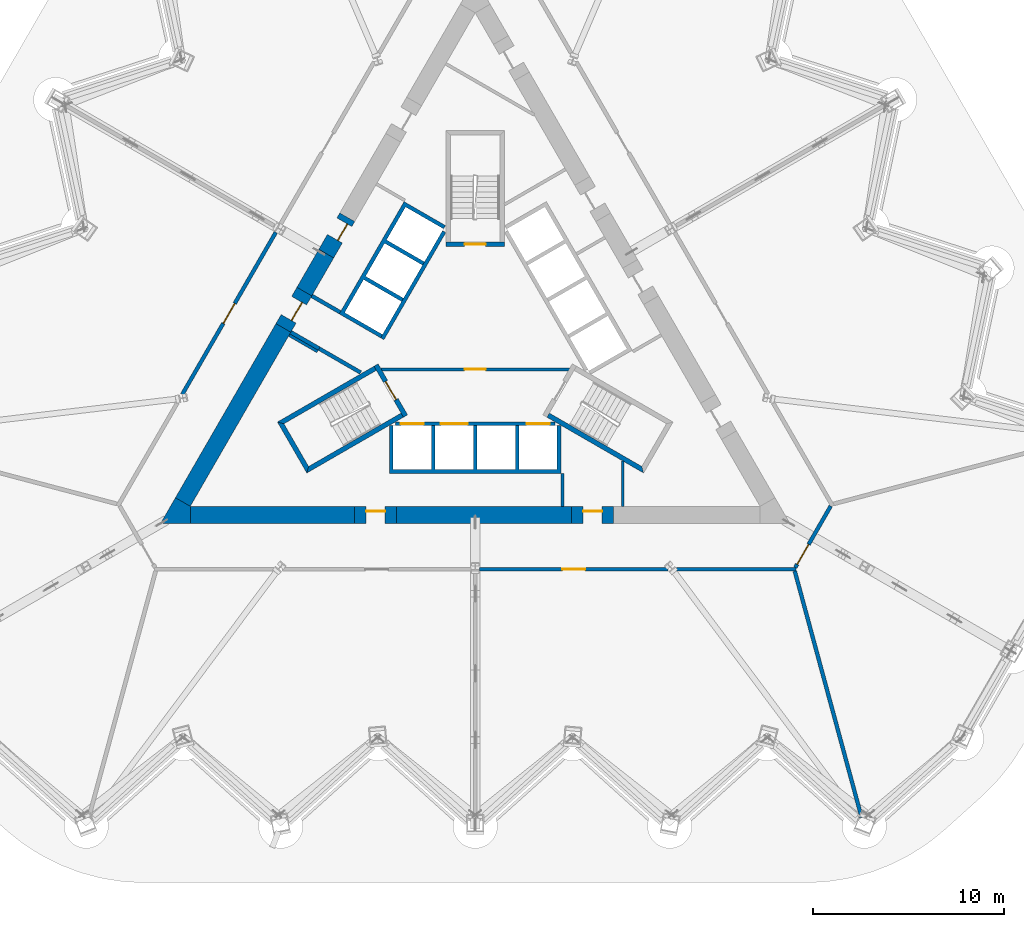
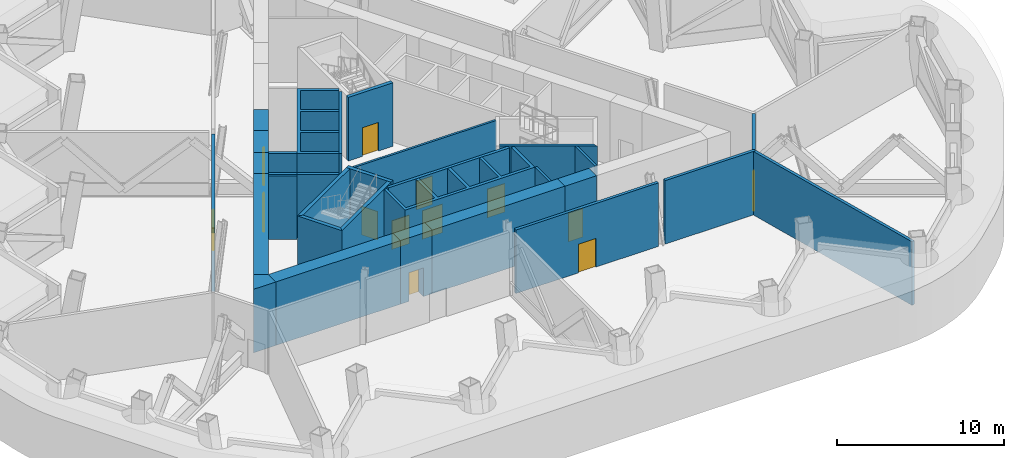
# One storey, part 5 of 13: 31 walls, 13 doors, 13 openings.
"""IFC4 building model written with IfcOpenShell, lengths in metres."""

import ifcopenshell
import ifcopenshell.guid

model = None  # the IFC model being written
_history = None  # IfcOwnerHistory: only IFC2X3 demands one
_inside = {}  # id of a spatial element -> (the spatial element, [elements in it])
_under = {}  # id of a project, library or spatial element -> (it, [spatial elements below it])
_declared = {}  # id of a project -> (the project, [libraries it declares])
_typed = {}  # id of a type object -> (the type object, [elements of that type])
_made_of = {}  # id of a material, layer set ... -> (it, [elements and type objects made of it])


def new_model(schema):
    """Start an empty IFC model of exactly this schema.

    Asked for "IFC4X3", IfcOpenShell would pick the latest addendum, in which some entities
    have other attributes; the version numbers below select the first issue.
    IFC2X3 requires an IfcOwnerHistory on every rooted entity: one is made here for all.
    """
    global model, _history
    if schema == "IFC4X3":
        model = ifcopenshell.file(schema_version=(4, 3, 0, 0))
    else:
        model = ifcopenshell.file(schema=schema)
    _inside.clear()
    _under.clear()
    _declared.clear()
    _typed.clear()
    _made_of.clear()
    _history = None
    if model.schema == "IFC2X3":
        org = make("IfcOrganization", Name="unknown")
        user = make(
            "IfcPersonAndOrganization",
            ThePerson=make("IfcPerson", FamilyName="unknown"),
            TheOrganization=org,
        )
        app = make(
            "IfcApplication",
            ApplicationDeveloper=org,
            Version="unknown",
            ApplicationFullName="unknown",
            ApplicationIdentifier="unknown",
        )
        _history = make(
            "IfcOwnerHistory",
            OwningUser=user,
            OwningApplication=app,
            ChangeAction="ADDED",
            CreationDate=0,
        )
    return model


def make(cls, **values):
    """One entity of the class cls with the attributes given. An attribute that is None is left unset."""
    return model.create_entity(
        cls, **{name: value for name, value in values.items() if value is not None}
    )


def rooted(cls, **values):
    """An entity with a GlobalId (a new one), such as an element, a storey or a relation."""
    return make(cls, GlobalId=ifcopenshell.guid.new(), OwnerHistory=_history, **values)


def si_unit(unit_type, name, prefix=None):
    """IfcSIUnit, for example si_unit("LENGTHUNIT", "METRE", prefix="MILLI")."""
    return make("IfcSIUnit", UnitType=unit_type, Prefix=prefix, Name=name)


def assignment(units):
    """IfcUnitAssignment: the units of a project."""
    return None if units is None else make("IfcUnitAssignment", Units=units)


def point(xyz):
    """IfcCartesianPoint."""
    return None if xyz is None else make("IfcCartesianPoint", Coordinates=xyz)


def direction(xyz):
    """IfcDirection."""
    return None if xyz is None else make("IfcDirection", DirectionRatios=xyz)


def frame(location, z_axis=None, x_axis=None):
    """IfcAxis2Placement3D, a coordinate frame: its origin and axes. An axis left out is left unset."""
    return make(
        "IfcAxis2Placement3D",
        Location=point(location),
        Axis=direction(z_axis),
        RefDirection=direction(x_axis),
    )


def frame_2d(location, x_axis=None):
    """IfcAxis2Placement2D, a coordinate frame in the plane: its origin and x axis."""
    return make(
        "IfcAxis2Placement2D", Location=point(location), RefDirection=direction(x_axis)
    )


def origin():
    """The frame at (0, 0, 0) with its axes left unset."""
    return frame((0.0, 0.0, 0.0))


def place(relative_to, where):
    """IfcLocalPlacement: puts the frame where relative to a parent placement (None: the world)."""
    return make(
        "IfcLocalPlacement", PlacementRelTo=relative_to, RelativePlacement=where
    )


def context(
    kind, dimensions, precision=None, world=None, true_north=None, identifier=None
):
    """IfcGeometricRepresentationContext, for example the 3D "Model" context."""
    return make(
        "IfcGeometricRepresentationContext",
        ContextIdentifier=identifier,
        ContextType=kind,
        CoordinateSpaceDimension=dimensions,
        Precision=precision,
        WorldCoordinateSystem=world,
        TrueNorth=true_north,
    )


def subcontext(parent, identifier, kind, view, scale=None):
    """IfcGeometricRepresentationSubContext, for example "Body" below "Model"."""
    return make(
        "IfcGeometricRepresentationSubContext",
        ContextIdentifier=identifier,
        ContextType=kind,
        ParentContext=parent,
        TargetScale=scale,
        TargetView=view,
    )


def project(units=None, contexts=None):
    """IfcProject with its units and contexts."""
    return rooted(
        "IfcProject",
        Name="project",
        RepresentationContexts=contexts,
        UnitsInContext=assignment(units),
    )


def spatial(cls, under=None, at=None, **own):
    """A site, building, storey or space (cls), placed at a placement, below another one or the project."""
    s = rooted(cls, ObjectPlacement=at, **own)
    if under is not None:
        _under.setdefault(under.id(), (under, []))[1].append(s)
    return s


def polyline(points):
    """IfcPolyline through the points."""
    return make("IfcPolyline", Points=[point(p) for p in points])


def profile(cls, at=None, kind="AREA", **sizes):
    """A parametric profile (cls). Its sizes go by their IFC names, for example OverallWidth=200.0."""
    return make(cls, ProfileType=kind, Position=at, **sizes)


def rectangle(**sizes):
    """IfcRectangleProfileDef."""
    return profile("IfcRectangleProfileDef", **sizes)


def outline(outer, holes=None, kind="AREA"):
    """IfcArbitraryClosedProfileDef: a profile drawn as a closed curve; with holes, ...WithVoids."""
    if holes is None:
        return make("IfcArbitraryClosedProfileDef", ProfileType=kind, OuterCurve=outer)
    return make(
        "IfcArbitraryProfileDefWithVoids",
        ProfileType=kind,
        OuterCurve=outer,
        InnerCurves=holes,
    )


def extrude(swept, where, along, depth):
    """IfcExtrudedAreaSolid: the profile swept, set in the frame where, extruded along a direction by depth."""
    return make(
        "IfcExtrudedAreaSolid",
        SweptArea=swept,
        Position=where,
        ExtrudedDirection=direction(along),
        Depth=depth,
    )


def shape(context_of_items, identifier, shape_type, items):
    """IfcShapeRepresentation: the items that make up one representation, for example the "Body"."""
    return make(
        "IfcShapeRepresentation",
        ContextOfItems=context_of_items,
        RepresentationIdentifier=identifier,
        RepresentationType=shape_type,
        Items=items,
    )


def material(Name=None, Category=None):
    """IfcMaterial."""
    return make("IfcMaterial", Name=Name, Category=Category)


def layer(
    of_material, thickness, ventilated=None, Name=None, Category=None, Priority=None
):
    """IfcMaterialLayer: one layer of a wall or slab, of a material (None: an air gap)."""
    return make(
        "IfcMaterialLayer",
        Material=of_material,
        LayerThickness=thickness,
        IsVentilated=ventilated,
        Name=Name,
        Category=Category,
        Priority=Priority,
    )


def layer_set(layers, Name=None):
    """IfcMaterialLayerSet."""
    return make("IfcMaterialLayerSet", MaterialLayers=layers, LayerSetName=Name)


def made_of(thing, what):
    """Note that an element or type object is made of a material, layer set ...; save() writes the relation."""
    if what is not None:
        _made_of.setdefault(what.id(), (what, []))[1].append(thing)
    return thing


def type_object(cls, material=None, **own):
    """A type object (cls), such as IfcWallType, which elements share."""
    return made_of(rooted(cls, **own), material)


def element(
    cls,
    number,
    at=None,
    inside=None,
    cuts=None,
    type_object=None,
    material=None,
    context=None,
    identifier="Body",
    shape_type=None,
    held_by="IfcProductDefinitionShape",
    body=None,
    shapes=None,
    **own,
):
    """One element of the class cls, such as IfcWall. Its Tag is "e" and its number.

    at: its placement. inside: the storey or other place that contains it. cuts: it is an
    opening in that element (IfcRelVoidsElement). A single representation is given by context,
    identifier, shape_type and body (its items); several are given by shapes. held_by: the class
    of the entity that holds the representations. save() writes the other relations.
    """
    e = rooted(cls, Tag="e%d" % number, ObjectPlacement=at, **own)
    if body is not None:
        shapes = [shape(context, identifier, shape_type, body)]
    if shapes is not None:
        e.Representation = make(held_by, Representations=shapes)
    if inside is not None:
        _inside.setdefault(inside.id(), (inside, []))[1].append(e)
    if cuts is not None:
        rooted(
            "IfcRelVoidsElement", RelatingBuildingElement=cuts, RelatedOpeningElement=e
        )
    if type_object is not None:
        _typed.setdefault(type_object.id(), (type_object, []))[1].append(e)
    return made_of(e, material)


def fill(opening, filler):
    """IfcRelFillsElement: the door or window that sits in an opening."""
    return rooted(
        "IfcRelFillsElement",
        RelatingOpeningElement=opening,
        RelatedBuildingElement=filler,
    )


def aggregate(whole, parts):
    """IfcRelAggregates: a whole, such as a stair, and the parts it consists of."""
    return rooted("IfcRelAggregates", RelatingObject=whole, RelatedObjects=parts)


def save(model, path):
    """Write the relations noted so far, then the file.

    IfcRelAggregates (storeys below a building ...), IfcRelContainedInSpatialStructure (elements
    in a storey), IfcRelDefinesByType, IfcRelAssociatesMaterial and IfcRelDeclares: one each for
    every whole, place, type object, material and project.
    """
    for whole, parts in _under.values():
        aggregate(whole, parts)
    for where, things in _inside.values():
        rooted(
            "IfcRelContainedInSpatialStructure",
            RelatedElements=things,
            RelatingStructure=where,
        )
    for kind, things in _typed.values():
        rooted("IfcRelDefinesByType", RelatedObjects=things, RelatingType=kind)
    for what, things in _made_of.values():
        rooted("IfcRelAssociatesMaterial", RelatedObjects=things, RelatingMaterial=what)
    for by, libraries in _declared.values():
        rooted("IfcRelDeclares", RelatingContext=by, RelatedDefinitions=libraries)
    model.write(path)


model = new_model("IFC4")

# Units and contexts
model_context = context("Model", 3, precision=1e-05, world=origin(), true_north=direction((0.0, 1.0)))
body_context = subcontext(model_context, "Body", "Model", "MODEL_VIEW")
ifc_project = project(units=[si_unit("LENGTHUNIT", "METRE"), si_unit("AREAUNIT", "SQUARE_METRE"), si_unit("VOLUMEUNIT", "CUBIC_METRE"), si_unit("PLANEANGLEUNIT", "RADIAN"), si_unit("MASSUNIT", "GRAM", prefix="KILO")], contexts=[model_context])

# Site, building, storey
site_placement = place(None, origin())
site = spatial("IfcSite", under=ifc_project, at=site_placement, CompositionType="ELEMENT")
building_placement = place(site_placement, origin())
building = spatial("IfcBuilding", under=site, at=building_placement, Name="Cormorant Prow Tower", CompositionType="ELEMENT")
storey_placement = place(building_placement, frame((0.0, 0.0, 164.199951171875)))
storey = spatial("IfcBuildingStorey", under=building, at=storey_placement, Name="L34", CompositionType="ELEMENT", Elevation=164.199951171875)

# Wall, opening, door
ifc_material_1 = material(Name="Gypsum board partition")
ifc_layer_1 = layer(ifc_material_1, 0.14990234375)
ifc_layer_set_1 = layer_set([ifc_layer_1], Name="Gypsum board partition")
wall_type_1 = type_object("IfcWallType", Name="Core partition 150", PredefinedType="PARTITIONING", material=ifc_layer_set_1)
wall_1_placement = place(storey_placement, frame((-4.941162109375, -1.449951171875, 0.0), z_axis=(0.0, 0.0, 1.0), x_axis=(1.0, 0.0, 0.0)))
wall_1 = element("IfcWall", 1, at=wall_1_placement, inside=storey, type_object=wall_type_1, Name="Firefighting lobby partition", PredefinedType="PARTITIONING", context=body_context, shape_type="SweptSolid", body=[
    extrude(rectangle(XDim=9.88232421875, YDim=0.14990234375, at=frame_2d((4.941162109375, 0.0))), origin(), (0.0, 0.0, 1.0), 4.650146484375),
])
opening_1_placement = place(wall_1_placement, frame((4.39111328125, 0.0, 0.0)))
opening_1 = element("IfcOpeningElement", 2, at=opening_1_placement, cuts=wall_1, Name="Opening L34-C04", PredefinedType="OPENING", context=body_context, shape_type="SweptSolid", body=[
    extrude(rectangle(XDim=1.10009765625, YDim=2.10009765625, at=frame_2d((0.550048828125, 1.050048828125))), frame((0.0, 0.0849609375, 0.0), z_axis=(0.0, -1.0, 0.0), x_axis=(1.0, 0.0, 0.0)), (0.0, 0.0, 1.0), 0.169921875),
])
ifc_material_2 = material(Name="Painted steel", Category="steel")
door_type_1 = type_object("IfcDoorType", Name="Firefighting lobby door 1100x2100", OperationType="NOTDEFINED", PredefinedType="DOOR", material=ifc_material_2)
door_1_placement = place(opening_1_placement, origin())
door_1 = element("IfcDoor", 3, at=door_1_placement, inside=storey, type_object=door_type_1, Name="Firefighting lobby door", OperationType="SINGLE_SWING_LEFT", OverallHeight=2.10009765625, OverallWidth=1.10009765625, PredefinedType="DOOR", context=body_context, shape_type="SweptSolid", body=[
    extrude(rectangle(XDim=1.10009765625, YDim=2.10009765625, at=frame_2d((0.550048828125, 1.050048828125))), frame((0.0, 0.02490234375, 0.0), z_axis=(0.0, -1.0, 0.0), x_axis=(1.0, 0.0, 0.0)), (0.0, 0.0, 1.0), 0.050048828125),
])
fill(opening_1, door_1)

# Walls
for number, where, z_axis, x_axis, name in (
    (4, (-8.268310546875, -0.509033203125, 0.0), (0.0, 0.0, 1.0), (-0.866024871741, 0.500000921525, 0.0), "Service room partition"),
    (5, (4.574951171875, -6.906005859375, 0.0), (0.0, 0.0, 1.0), (0.0, -1.0, 0.0), "Service room partition"),
):
    element("IfcWall", number, at=place(storey_placement, frame(where, z_axis=z_axis, x_axis=x_axis)), inside=storey, type_object=wall_type_1, Name=name, PredefinedType="PARTITIONING", context=body_context, shape_type="SweptSolid", body=[
        extrude(rectangle(XDim=1.72021484375, YDim=0.14990234375, at=frame_2d((0.860107421875, 0.0))), origin(), (0.0, 0.0, 1.0), 4.650146484375),
    ])
wall_2_placement = place(storey_placement, frame((7.7373046875, -8.626220703125, 0.0), z_axis=(0.0, 0.0, 1.0), x_axis=(0.0, 1.0, 0.0)))
element("IfcWall", 6, at=wall_2_placement, inside=storey, type_object=wall_type_1, Name="Service room partition", PredefinedType="PARTITIONING", context=body_context, shape_type="SweptSolid", body=[
    extrude(rectangle(XDim=2.38623046875, YDim=0.14990234375, at=frame_2d((1.193115234375, 0.0))), origin(), (0.0, 0.0, 1.0), 4.650146484375),
])
ifc_material_3 = material(Name="Concrete 8000 psi", Category="concrete")
ifc_layer_2 = layer(ifc_material_3, 0.89990234375)
ifc_layer_set_2 = layer_set([ifc_layer_2], Name="Concrete 8000 psi")
wall_type_2 = type_object("IfcWallType", Name="Core shear wall 900", PredefinedType="SHEAR", material=ifc_layer_set_2)
wall_3_placement = place(storey_placement, frame((-4.12060546875, -9.076416015625, 0.0), z_axis=(0.0, 0.0, 1.0), x_axis=(1.0, 0.0, 0.0)))
element("IfcWall", 7, at=wall_3_placement, inside=storey, type_object=wall_type_2, Name="Core wall", PredefinedType="SHEAR", context=body_context, shape_type="SweptSolid", body=[
    extrude(rectangle(XDim=9.1767578125, YDim=0.89990234375, at=frame_2d((4.58837890625, 0.0))), origin(), (0.0, 0.0, 1.0), 4.650146484375),
])
wall_4_placement = place(storey_placement, frame((-14.941162109375, -9.076416015625, 0.0), z_axis=(0.0, 0.0, 1.0), x_axis=(1.0, 0.0, 0.0)))
element("IfcWall", 8, at=wall_4_placement, inside=storey, type_object=wall_type_2, Name="Core wall", PredefinedType="SHEAR", context=body_context, shape_type="SweptSolid", body=[
    extrude(rectangle(XDim=8.62060546875, YDim=0.89990234375, at=frame_2d((4.310302734375, 0.0))), origin(), (0.0, 0.0, 1.0), 4.650146484375),
])
wall_5_placement = place(storey_placement, frame((-10.060302734375, 0.7275390625, 0.0), z_axis=(0.0, 0.0, 1.0), x_axis=(-0.499995114243, -0.866028224559, 0.0)))
element("IfcWall", 9, at=wall_5_placement, inside=storey, type_object=wall_type_2, Name="Core wall", PredefinedType="SHEAR", context=body_context, shape_type="SweptSolid", body=[
    extrude(rectangle(XDim=10.541015625, YDim=0.89990234375, at=frame_2d((5.2705078125, 0.0))), origin(), (0.0, 0.0, 1.0), 4.650146484375),
])
wall_6_placement = place(storey_placement, frame((-7.810302734375, 4.624755859375, 0.0), z_axis=(0.0, 0.0, 1.0), x_axis=(-0.499952165731, -0.866053019151, 0.0)))
element("IfcWall", 10, at=wall_6_placement, inside=storey, type_object=wall_type_2, Name="Core wall", PredefinedType="SHEAR", context=body_context, shape_type="SweptSolid", body=[
    extrude(rectangle(XDim=2.300048828125, YDim=0.89990234375, at=frame_2d((1.14990234375, 0.0))), origin(), (0.0, 0.0, 1.0), 4.650146484375),
])
wall_7_placement = place(storey_placement, origin())
element("IfcWall", 11, at=wall_7_placement, inside=storey, type_object=wall_type_2, Name="Core wall corner", PredefinedType="SHEAR", context=body_context, shape_type="SweptSolid", body=[
    extrude(outline(polyline([(-14.941162109375, -8.626220703125), (-14.941162109375, -9.5263671875), (-16.5, -9.5263671875), (-15.720703125, -8.17626953125), (-14.941162109375, -8.626220703125)])), origin(), (0.0, 0.0, 1.0), 4.650146484375),
])

# Wall, opening, door
wall_8_placement = place(storey_placement, frame((5.05615234375, -9.076416015625, 0.0), z_axis=(0.0, 0.0, 1.0), x_axis=(1.0, 0.0, 0.0)))
wall_8 = element("IfcWall", 12, at=wall_8_placement, inside=storey, type_object=wall_type_2, Name="Core wall door panel", PredefinedType="SHEAR", context=body_context, shape_type="SweptSolid", body=[
    extrude(rectangle(XDim=2.199951171875, YDim=0.89990234375, at=frame_2d((1.10009765625, 0.0))), origin(), (0.0, 0.0, 1.0), 4.650146484375),
])
opening_2_placement = place(wall_8_placement, frame((0.60009765625, 0.0, 0.0)))
opening_2 = element("IfcOpeningElement", 13, at=opening_2_placement, cuts=wall_8, Name="Opening L34-C08", PredefinedType="OPENING", context=body_context, shape_type="SweptSolid", body=[
    extrude(rectangle(XDim=1.0, YDim=2.10009765625, at=frame_2d((0.5, 1.050048828125))), frame((0.0, 0.4599609375, 0.0), z_axis=(0.0, -1.0, 0.0), x_axis=(1.0, 0.0, 0.0)), (0.0, 0.0, 1.0), 0.919921875),
])
ifc_material_4 = material(Name="Painted steel", Category="steel")
door_type_2 = type_object("IfcDoorType", Name="Service door 1000x2100", OperationType="NOTDEFINED", PredefinedType="DOOR", material=ifc_material_4)
door_2_placement = place(opening_2_placement, origin())
door_2 = element("IfcDoor", 14, at=door_2_placement, inside=storey, type_object=door_type_2, Name="Core door, Telecom plant room", OperationType="SINGLE_SWING_RIGHT", OverallHeight=2.10009765625, OverallWidth=1.0, PredefinedType="DOOR", context=body_context, shape_type="SweptSolid", body=[
    extrude(rectangle(XDim=1.0, YDim=2.10009765625, at=frame_2d((0.5, 1.050048828125))), frame((0.0, 0.205078125, 0.0), z_axis=(0.0, -1.0, 0.0), x_axis=(1.0, 0.0, 0.0)), (0.0, 0.0, 1.0), 0.050048828125),
])
fill(opening_2, door_2)

wall_9_placement = place(storey_placement, frame((-6.320556640625, -9.076416015625, 0.0), z_axis=(0.0, 0.0, 1.0), x_axis=(1.0, 0.0, 0.0)))
wall_9 = element("IfcWall", 15, at=wall_9_placement, inside=storey, type_object=wall_type_2, Name="Core wall door panel", PredefinedType="SHEAR", context=body_context, shape_type="SweptSolid", body=[
    extrude(rectangle(XDim=2.199951171875, YDim=0.89990234375, at=frame_2d((1.10009765625, 0.0))), origin(), (0.0, 0.0, 1.0), 4.650146484375),
])
opening_3_placement = place(wall_9_placement, frame((0.60009765625, 0.0, 0.0)))
opening_3 = element("IfcOpeningElement", 16, at=opening_3_placement, cuts=wall_9, Name="Opening L34-C09", PredefinedType="OPENING", context=body_context, shape_type="SweptSolid", body=[
    extrude(rectangle(XDim=1.0, YDim=2.10009765625, at=frame_2d((0.5, 1.050048828125))), frame((0.0, 0.4599609375, 0.0), z_axis=(0.0, -1.0, 0.0), x_axis=(1.0, 0.0, 0.0)), (0.0, 0.0, 1.0), 0.919921875),
])
door_3_placement = place(opening_3_placement, origin())
door_3 = element("IfcDoor", 17, at=door_3_placement, inside=storey, type_object=door_type_2, Name="Core door, Plant staff store", OperationType="SINGLE_SWING_RIGHT", OverallHeight=2.10009765625, OverallWidth=1.0, PredefinedType="DOOR", context=body_context, shape_type="SweptSolid", body=[
    extrude(rectangle(XDim=1.0, YDim=2.10009765625, at=frame_2d((0.5, 1.050048828125))), frame((0.0, 0.205078125, 0.0), z_axis=(0.0, -1.0, 0.0), x_axis=(1.0, 0.0, 0.0)), (0.0, 0.0, 1.0), 0.050048828125),
])
fill(opening_3, door_3)

wall_10_placement = place(storey_placement, frame((-6.710205078125, 6.530029296875, 0.0), z_axis=(0.0, 0.0, 1.0), x_axis=(-0.50002983664, -0.866008176907, 0.0)))
wall_10 = element("IfcWall", 18, at=wall_10_placement, inside=storey, type_object=wall_type_2, Name="Core wall door panel", PredefinedType="SHEAR", context=body_context, shape_type="SweptSolid", body=[
    extrude(rectangle(XDim=2.199951171875, YDim=0.89990234375, at=frame_2d((1.10009765625, 0.0))), origin(), (0.0, 0.0, 1.0), 4.650146484375),
])
opening_4_placement = place(wall_10_placement, frame((0.300048828125, 0.0, 0.0)))
opening_4 = element("IfcOpeningElement", 19, at=opening_4_placement, cuts=wall_10, Name="Opening L34-C12", PredefinedType="OPENING", context=body_context, shape_type="SweptSolid", body=[
    extrude(rectangle(XDim=1.0, YDim=2.10009765625, at=frame_2d((0.5, 1.050048828125))), frame((0.0, 0.4599609375, 0.0), z_axis=(0.0, -1.0, 0.0), x_axis=(1.0, 0.0, 0.0)), (0.0, 0.0, 1.0), 0.919921875),
])
door_4_placement = place(opening_4_placement, origin())
door_4 = element("IfcDoor", 20, at=door_4_placement, inside=storey, type_object=door_type_2, Name="Core door, Telecom plant room", OperationType="SINGLE_SWING_RIGHT", OverallHeight=2.10009765625, OverallWidth=1.0, PredefinedType="DOOR", context=body_context, shape_type="SweptSolid", body=[
    extrude(rectangle(XDim=1.0, YDim=2.10009765625, at=frame_2d((0.5, 1.050048828125))), frame((0.0, 0.205078125, 0.0), z_axis=(0.0, -1.0, 0.0), x_axis=(1.0, 0.0, 0.0)), (0.0, 0.0, 1.0), 0.050048828125),
])
fill(opening_4, door_4)

wall_11_placement = place(storey_placement, frame((-8.960205078125, 2.6328125, 0.0), z_axis=(0.0, 0.0, 1.0), x_axis=(-0.50002983664, -0.866008176907, 0.0)))
wall_11 = element("IfcWall", 21, at=wall_11_placement, inside=storey, type_object=wall_type_2, Name="Core wall door panel", PredefinedType="SHEAR", context=body_context, shape_type="SweptSolid", body=[
    extrude(rectangle(XDim=2.199951171875, YDim=0.89990234375, at=frame_2d((1.10009765625, 0.0))), origin(), (0.0, 0.0, 1.0), 4.650146484375),
])
opening_5_placement = place(wall_11_placement, frame((0.550048828125, 0.0, 0.0)))
opening_5 = element("IfcOpeningElement", 22, at=opening_5_placement, cuts=wall_11, Name="Opening L34-C16", PredefinedType="OPENING", context=body_context, shape_type="SweptSolid", body=[
    extrude(rectangle(XDim=1.10009765625, YDim=2.10009765625, at=frame_2d((0.550048828125, 1.050048828125))), frame((0.0, 0.4599609375, 0.0), z_axis=(0.0, -1.0, 0.0), x_axis=(1.0, 0.0, 0.0)), (0.0, 0.0, 1.0), 0.919921875),
])
ifc_material_5 = material(Name="Painted steel", Category="steel")
door_type_3 = type_object("IfcDoorType", Name="Core door 1100x2100", OperationType="NOTDEFINED", PredefinedType="DOOR", material=ifc_material_5)
door_5_placement = place(opening_5_placement, origin())
door_5 = element("IfcDoor", 23, at=door_5_placement, inside=storey, type_object=door_type_3, Name="Core door, lift lobby", OperationType="SINGLE_SWING_LEFT", OverallHeight=2.10009765625, OverallWidth=1.10009765625, PredefinedType="DOOR", context=body_context, shape_type="SweptSolid", body=[
    extrude(rectangle(XDim=1.10009765625, YDim=2.10009765625, at=frame_2d((0.550048828125, 1.050048828125))), frame((0.0, 0.205078125, 0.0), z_axis=(0.0, -1.0, 0.0), x_axis=(1.0, 0.0, 0.0)), (0.0, 0.0, 1.0), 0.050048828125),
])
fill(opening_5, door_5)

ifc_material_6 = material(Name="Gypsum board corridor wall")
ifc_layer_3 = layer(ifc_material_6, 0.199951171875)
ifc_layer_set_3 = layer_set([ifc_layer_3], Name="Gypsum board corridor wall")
wall_type_3 = type_object("IfcWallType", Name="Corridor wall 200", PredefinedType="PARTITIONING", material=ifc_layer_set_3)
wall_12_placement = place(storey_placement, frame((0.227294921875, -11.92626953125, 0.0), z_axis=(0.0, 0.0, 1.0), x_axis=(1.0, 0.0, 0.0)))
wall_12 = element("IfcWall", 24, at=wall_12_placement, inside=storey, type_object=wall_type_3, Name="Corridor wall", PredefinedType="PARTITIONING", context=body_context, shape_type="SweptSolid", body=[
    extrude(rectangle(XDim=9.873779296875, YDim=0.199951171875, at=frame_2d((4.93701171875, 0.0))), origin(), (0.0, 0.0, 1.0), 4.650146484375),
])
opening_6_placement = place(wall_12_placement, frame((4.3369140625, 0.0, 0.0)))
opening_6 = element("IfcOpeningElement", 25, at=opening_6_placement, cuts=wall_12, Name="Opening L34-F02", PredefinedType="OPENING", context=body_context, shape_type="SweptSolid", body=[
    extrude(rectangle(XDim=1.199951171875, YDim=2.10009765625, at=frame_2d((0.60009765625, 1.050048828125))), frame((0.0, 0.10986328125, 0.0), z_axis=(0.0, -1.0, 0.0), x_axis=(1.0, 0.0, 0.0)), (0.0, 0.0, 1.0), 0.219970703125),
])
ifc_material_7 = material(Name="Timber door leaf", Category="wood")
door_type_4 = type_object("IfcDoorType", Name="Plant room door 1200x2100", OperationType="NOTDEFINED", PredefinedType="DOOR", material=ifc_material_7)
door_6_placement = place(opening_6_placement, origin())
door_6 = element("IfcDoor", 26, at=door_6_placement, inside=storey, type_object=door_type_4, Name="Sprinkler pump room door", OperationType="SINGLE_SWING_RIGHT", OverallHeight=2.10009765625, OverallWidth=1.199951171875, PredefinedType="DOOR", context=body_context, shape_type="SweptSolid", body=[
    extrude(rectangle(XDim=1.199951171875, YDim=2.10009765625, at=frame_2d((0.60009765625, 1.050048828125))), frame((0.0, 0.02490234375, 0.0), z_axis=(0.0, -1.0, 0.0), x_axis=(1.0, 0.0, 0.0)), (0.0, 0.0, 1.0), 0.050048828125),
])
fill(opening_6, door_6)

wall_13_placement = place(storey_placement, frame((-15.361328125, -2.754150390625, 0.0), z_axis=(0.0, 0.0, 1.0), x_axis=(0.500004141693, 0.866023012564, 0.0)))
wall_13 = element("IfcWall", 27, at=wall_13_placement, inside=storey, type_object=wall_type_3, Name="Corridor wall", PredefinedType="PARTITIONING", context=body_context, shape_type="SweptSolid", body=[
    extrude(rectangle(XDim=9.80322265625, YDim=0.199951171875, at=frame_2d((4.901611328125, 0.0))), origin(), (0.0, 0.0, 1.0), 4.650146484375),
])
opening_7_placement = place(wall_13_placement, frame((4.3017578125, 0.0, 0.0)))
opening_7 = element("IfcOpeningElement", 28, at=opening_7_placement, cuts=wall_13, Name="Opening L34-F05", PredefinedType="OPENING", context=body_context, shape_type="SweptSolid", body=[
    extrude(rectangle(XDim=1.199951171875, YDim=2.10009765625, at=frame_2d((0.60009765625, 1.050048828125))), frame((0.0, 0.10986328125, 0.0), z_axis=(0.0, -1.0, 0.0), x_axis=(1.0, 0.0, 0.0)), (0.0, 0.0, 1.0), 0.219970703125),
])
door_7_placement = place(opening_7_placement, origin())
door_7 = element("IfcDoor", 29, at=door_7_placement, inside=storey, type_object=door_type_4, Name="Pump and tank room door", OperationType="SINGLE_SWING_LEFT", OverallHeight=2.10009765625, OverallWidth=1.199951171875, PredefinedType="DOOR", context=body_context, shape_type="SweptSolid", body=[
    extrude(rectangle(XDim=1.199951171875, YDim=2.10009765625, at=frame_2d((0.60009765625, 1.050048828125))), frame((0.0, 0.02490234375, 0.0), z_axis=(0.0, -1.0, 0.0), x_axis=(1.0, 0.0, 0.0)), (0.0, 0.0, 1.0), 0.050048828125),
])
fill(opening_7, door_7)

# Wall
wall_14_placement = place(storey_placement, frame((10.555908203125, -11.92626953125, 0.0), z_axis=(0.0, 0.0, 1.0), x_axis=(1.0, 0.0, 0.0)))
element("IfcWall", 30, at=wall_14_placement, inside=storey, type_object=wall_type_3, Name="Corridor wall", PredefinedType="PARTITIONING", context=body_context, shape_type="SweptSolid", body=[
    extrude(rectangle(XDim=6.27490234375, YDim=0.199951171875, at=frame_2d((3.137451171875, 0.0))), origin(), (0.0, 0.0, 1.0), 4.650146484375),
])

# Wall, opening, door
wall_15_placement = place(storey_placement, frame((16.781005859375, -11.839599609375, 0.0), z_axis=(0.0, 0.0, 1.0), x_axis=(0.499958791762, 0.866049194065, 0.0)))
wall_15 = element("IfcWall", 31, at=wall_15_placement, inside=storey, type_object=wall_type_3, Name="Corridor wall", PredefinedType="PARTITIONING", context=body_context, shape_type="SweptSolid", body=[
    extrude(rectangle(XDim=3.725830078125, YDim=0.199951171875, at=frame_2d((1.86279296875, 0.0))), origin(), (0.0, 0.0, 1.0), 4.650146484375),
])
opening_8_placement = place(wall_15_placement, frame((0.201171875, 0.0, 0.0)))
opening_8 = element("IfcOpeningElement", 32, at=opening_8_placement, cuts=wall_15, Name="Opening L34-F04", PredefinedType="OPENING", context=body_context, shape_type="SweptSolid", body=[
    extrude(rectangle(XDim=1.199951171875, YDim=2.10009765625, at=frame_2d((0.60009765625, 1.050048828125))), frame((0.0, 0.10986328125, 0.0), z_axis=(0.0, -1.0, 0.0), x_axis=(1.0, 0.0, 0.0)), (0.0, 0.0, 1.0), 0.219970703125),
])
door_8_placement = place(opening_8_placement, origin())
door_8 = element("IfcDoor", 33, at=door_8_placement, inside=storey, type_object=door_type_4, Name="Chiller plant room door", OperationType="SINGLE_SWING_LEFT", OverallHeight=2.10009765625, OverallWidth=1.199951171875, PredefinedType="DOOR", context=body_context, shape_type="SweptSolid", body=[
    extrude(rectangle(XDim=1.199951171875, YDim=2.10009765625, at=frame_2d((0.60009765625, 1.050048828125))), frame((0.0, 0.02490234375, 0.0), z_axis=(0.0, -1.0, 0.0), x_axis=(1.0, 0.0, 0.0)), (0.0, 0.0, 1.0), 0.050048828125),
])
fill(opening_8, door_8)

# Wall
ifc_material_8 = material(Name="Gypsum board demising wall")
ifc_layer_4 = layer(ifc_material_8, 0.199951171875)
ifc_layer_set_4 = layer_set([ifc_layer_4], Name="Gypsum board demising wall")
wall_type_4 = type_object("IfcWallType", Name="Demising wall 200", PredefinedType="PARTITIONING", material=ifc_layer_set_4)
wall_16_placement = place(storey_placement, frame((16.757080078125, -12.022705078125, 0.0), z_axis=(0.0, 0.0, 1.0), x_axis=(0.261845290604, -0.965109860994, 0.0)))
element("IfcWall", 34, at=wall_16_placement, inside=storey, type_object=wall_type_4, Name="Demising wall", PredefinedType="PARTITIONING", context=body_context, shape_type="SweptSolid", body=[
    extrude(rectangle(XDim=13.383544921875, YDim=0.199951171875, at=frame_2d((6.69189453125, 0.0))), origin(), (0.0, 0.0, 1.0), 4.650146484375),
])

# Wall, openings, doors
ifc_material_9 = material(Name="Concrete 5000 psi", Category="concrete")
ifc_layer_5 = layer(ifc_material_9, 0.199951171875)
ifc_layer_set_5 = layer_set([ifc_layer_5], Name="Concrete 5000 psi")
wall_type_5 = type_object("IfcWallType", Name="Lift lobby wall 200", PredefinedType="SOLIDWALL", material=ifc_layer_set_5)
wall_17_placement = place(storey_placement, frame((-4.1865234375, -4.300048828125, 0.0), z_axis=(0.0, 0.0, 1.0), x_axis=(1.0, 0.0, 0.0)))
wall_17 = element("IfcWall", 35, at=wall_17_placement, inside=storey, type_object=wall_type_5, Name="Lift lobby wall, S block", PredefinedType="SOLIDWALL", context=body_context, shape_type="SweptSolid", body=[
    extrude(rectangle(XDim=8.373046875, YDim=0.199951171875, at=frame_2d((4.1865234375, 0.0))), origin(), (0.0, 0.0, 1.0), 4.650146484375),
])
opening_9_placement = place(wall_17_placement, frame((0.28662109375, 0.0, 0.0)))
opening_9 = element("IfcOpeningElement", 36, at=opening_9_placement, cuts=wall_17, Name="Opening L34-C01", PredefinedType="OPENING", context=body_context, shape_type="SweptSolid", body=[
    extrude(rectangle(XDim=1.199951171875, YDim=2.10009765625, at=frame_2d((0.60009765625, 1.050048828125))), frame((0.0, 0.10986328125, 0.0), z_axis=(0.0, -1.0, 0.0), x_axis=(1.0, 0.0, 0.0)), (0.0, 0.0, 1.0), 0.219970703125),
])
opening_10_placement = place(wall_17_placement, frame((2.38671875, 0.0, 0.0)))
opening_10 = element("IfcOpeningElement", 37, at=opening_10_placement, cuts=wall_17, Name="Opening L34-C02", PredefinedType="OPENING", context=body_context, shape_type="SweptSolid", body=[
    extrude(rectangle(XDim=1.39990234375, YDim=2.10009765625, at=frame_2d((0.699951171875, 1.050048828125))), frame((0.0, 0.10986328125, 0.0), z_axis=(0.0, -1.0, 0.0), x_axis=(1.0, 0.0, 0.0)), (0.0, 0.0, 1.0), 0.219970703125),
])
opening_11_placement = place(wall_17_placement, frame((6.88671875, 0.0, 0.0)))
opening_11 = element("IfcOpeningElement", 38, at=opening_11_placement, cuts=wall_17, Name="Opening L34-C03", PredefinedType="OPENING", context=body_context, shape_type="SweptSolid", body=[
    extrude(rectangle(XDim=1.199951171875, YDim=2.10009765625, at=frame_2d((0.60009765625, 1.050048828125))), frame((0.0, 0.10986328125, 0.0), z_axis=(0.0, -1.0, 0.0), x_axis=(1.0, 0.0, 0.0)), (0.0, 0.0, 1.0), 0.219970703125),
])
ifc_material_10 = material(Name="Painted steel", Category="steel")
door_type_5 = type_object("IfcDoorType", Name="Firefighting lift landing door 1200x2100", OperationType="SLIDING_TO_LEFT", PredefinedType="DOOR", material=ifc_material_10)
door_9_placement = place(opening_9_placement, origin())
door_9 = element("IfcDoor", 39, at=door_9_placement, inside=storey, type_object=door_type_5, Name="Landing door FL1", OperationType="SLIDING_TO_LEFT", OverallHeight=2.10009765625, OverallWidth=1.199951171875, PredefinedType="DOOR", context=body_context, shape_type="SweptSolid", body=[
    extrude(rectangle(XDim=1.199951171875, YDim=2.10009765625, at=frame_2d((0.60009765625, 1.050048828125))), frame((0.0, 0.02490234375, 0.0), z_axis=(0.0, -1.0, 0.0), x_axis=(1.0, 0.0, 0.0)), (0.0, 0.0, 1.0), 0.050048828125),
])
fill(opening_9, door_9)
door_10_placement = place(opening_11_placement, origin())
door_10 = element("IfcDoor", 40, at=door_10_placement, inside=storey, type_object=door_type_5, Name="Landing door FL2", OperationType="SLIDING_TO_LEFT", OverallHeight=2.10009765625, OverallWidth=1.199951171875, PredefinedType="DOOR", context=body_context, shape_type="SweptSolid", body=[
    extrude(rectangle(XDim=1.199951171875, YDim=2.10009765625, at=frame_2d((0.60009765625, 1.050048828125))), frame((0.0, 0.02490234375, 0.0), z_axis=(0.0, -1.0, 0.0), x_axis=(1.0, 0.0, 0.0)), (0.0, 0.0, 1.0), 0.050048828125),
])
fill(opening_11, door_10)
ifc_material_11 = material(Name="Painted steel", Category="steel")
door_type_6 = type_object("IfcDoorType", Name="Service lift landing door 1400x2100", OperationType="SLIDING_TO_LEFT", PredefinedType="DOOR", material=ifc_material_11)
door_11_placement = place(opening_10_placement, origin())
door_11 = element("IfcDoor", 41, at=door_11_placement, inside=storey, type_object=door_type_6, Name="Landing door SL1", OperationType="SLIDING_TO_LEFT", OverallHeight=2.10009765625, OverallWidth=1.39990234375, PredefinedType="DOOR", context=body_context, shape_type="SweptSolid", body=[
    extrude(rectangle(XDim=1.39990234375, YDim=2.10009765625, at=frame_2d((0.699951171875, 1.050048828125))), frame((0.0, 0.02490234375, 0.0), z_axis=(0.0, -1.0, 0.0), x_axis=(1.0, 0.0, 0.0)), (0.0, 0.0, 1.0), 0.050048828125),
])
fill(opening_10, door_11)

# Walls
wall_18_placement = place(storey_placement, frame((-1.630615234375, 5.775634765625, 0.0), z_axis=(0.0, 0.0, 1.0), x_axis=(-0.499992876559, -0.866029516466, 0.0)))
element("IfcWall", 42, at=wall_18_placement, inside=storey, type_object=wall_type_5, Name="Lift lobby wall, WNW block", PredefinedType="SOLIDWALL", context=body_context, shape_type="SweptSolid", body=[
    extrude(rectangle(XDim=6.486328125, YDim=0.199951171875, at=frame_2d((3.2431640625, 0.0))), origin(), (0.0, 0.0, 1.0), 4.650146484375),
])
ifc_material_12 = material(Name="Concrete 8000 psi", Category="concrete")
ifc_layer_6 = layer(ifc_material_12, 0.199951171875)
ifc_layer_set_6 = layer_set([ifc_layer_6], Name="Concrete 8000 psi")
wall_type_6 = type_object("IfcWallType", Name="Lift shaft wall 200", PredefinedType="SHEAR", material=ifc_layer_set_6)
wall_19_placement = place(storey_placement, origin())
element("IfcWall", 43, at=wall_19_placement, inside=storey, type_object=wall_type_6, Name="Lift shaft walls, S block", PredefinedType="SHEAR", context=body_context, shape_type="SweptSolid", body=[
    extrude(outline(polyline([(4.5, -4.39990234375), (4.5, -6.906005859375), (-4.5, -6.906005859375), (-4.5, -4.39990234375), (-4.300048828125, -4.39990234375), (-4.300048828125, -6.699951171875), (-2.300048828125, -6.699951171875), (-2.300048828125, -4.39990234375), (-2.10009765625, -4.39990234375), (-2.10009765625, -6.699951171875), (-0.10009765625, -6.699951171875), (-0.10009765625, -4.39990234375), (0.10009765625, -4.39990234375), (0.10009765625, -6.699951171875), (2.10009765625, -6.699951171875), (2.10009765625, -4.39990234375), (2.300048828125, -4.39990234375), (2.300048828125, -6.699951171875), (4.300048828125, -6.699951171875), (4.300048828125, -4.39990234375), (4.5, -4.39990234375)])), origin(), (0.0, 0.0, 1.0), 4.650146484375),
])
wall_20_placement = place(storey_placement, origin())
element("IfcWall", 44, at=wall_20_placement, inside=storey, type_object=wall_type_6, Name="Lift shaft walls, WNW block", PredefinedType="SHEAR", context=body_context, shape_type="SweptSolid", body=[
    extrude(outline(polyline([(-6.060546875, -1.697021484375), (-8.230712890625, -0.444091796875), (-8.130859375, -0.27099609375), (-5.96044921875, -1.52392578125), (-6.060546875, -1.697021484375)])), origin(), (0.0, 0.0, 1.0), 4.650146484375),
])
wall_21_placement = place(storey_placement, origin())
element("IfcWall", 45, at=wall_21_placement, inside=storey, type_object=wall_type_6, Name="Lift shaft walls, WNW block", PredefinedType="SHEAR", context=body_context, shape_type="SweptSolid", body=[
    extrude(outline(polyline([(-4.96044921875, 0.2080078125), (-7.130859375, 1.461181640625), (-3.730712890625, 7.35009765625), (-1.560546875, 6.09716796875), (-1.660400390625, 5.923828125), (-3.65234375, 7.073974609375), (-4.65234375, 5.341796875), (-2.660400390625, 4.19189453125), (-2.760498046875, 4.018798828125), (-4.75244140625, 5.168701171875), (-5.75244140625, 3.4365234375), (-3.760498046875, 2.28662109375), (-3.860595703125, 2.11328125), (-5.852294921875, 3.263427734375), (-6.852294921875, 1.53125), (-4.860595703125, 0.38134765625), (-4.96044921875, 0.2080078125)])), origin(), (0.0, 0.0, 1.0), 4.650146484375),
])
for number, where, z_axis, x_axis, name in (
    (46, (-7.080810546875, 1.547607421875, 0.0), (0.0, 0.0, 1.0), (-0.865963414263, 0.500107353632, 0.0), "Lobby passage wall"),
    (47, (-8.180908203125, -0.357421875, 0.0), (0.0, 0.0, 1.0), (-0.866024871741, 0.500000921525, 0.0), "Lobby passage wall"),
):
    element("IfcWall", number, at=place(storey_placement, frame(where, z_axis=z_axis, x_axis=x_axis)), inside=storey, type_object=wall_type_6, Name=name, PredefinedType="SHEAR", context=body_context, shape_type="SweptSolid", body=[
        extrude(rectangle(XDim=1.72021484375, YDim=0.199951171875, at=frame_2d((0.860107421875, 0.0))), origin(), (0.0, 0.0, 1.0), 4.650146484375),
    ])
ifc_material_13 = material(Name="Concrete 8000 psi", Category="concrete")
ifc_layer_7 = layer(ifc_material_13, 0.25)
ifc_layer_set_7 = layer_set([ifc_layer_7], Name="Concrete 8000 psi")
wall_type_7 = type_object("IfcWallType", Name="Stair wall 250", PredefinedType="SHEAR", material=ifc_layer_set_7)
wall_22_placement = place(storey_placement, origin())
element("IfcWall", 48, at=wall_22_placement, inside=storey, type_object=wall_type_7, Name="Stair ST1 enclosure wall (flank)", PredefinedType="SHEAR", context=body_context, shape_type="SweptSolid", body=[
    extrude(outline(polyline([(-5.30712890625, -1.28125), (-10.37353515625, -4.206298828125), (-10.031982421875, -4.2978515625), (-5.18212890625, -1.497802734375), (-5.30712890625, -1.28125)])), origin(), (0.0, 0.0, 1.0), 4.650146484375),
])
wall_23_placement = place(storey_placement, origin())
element("IfcWall", 49, at=wall_23_placement, inside=storey, type_object=wall_type_7, Name="Stair ST1 enclosure wall (end)", PredefinedType="SHEAR", context=body_context, shape_type="SweptSolid", body=[
    extrude(outline(polyline([(-10.37353515625, -4.206298828125), (-8.82958984375, -6.880615234375), (-8.738037109375, -6.5390625), (-10.031982421875, -4.2978515625), (-10.37353515625, -4.206298828125)])), origin(), (0.0, 0.0, 1.0), 4.650146484375),
])
wall_24_placement = place(storey_placement, origin())
element("IfcWall", 50, at=wall_24_placement, inside=storey, type_object=wall_type_7, Name="Stair ST1 enclosure wall (flank)", PredefinedType="SHEAR", context=body_context, shape_type="SweptSolid", body=[
    extrude(outline(polyline([(-8.738037109375, -6.5390625), (-8.82958984375, -6.880615234375), (-3.76318359375, -3.95556640625), (-3.88818359375, -3.739013671875), (-8.738037109375, -6.5390625)])), origin(), (0.0, 0.0, 1.0), 4.650146484375),
])

# Wall, opening, door
wall_25_placement = place(storey_placement, frame((-5.198974609375, -1.21875, 0.0), z_axis=(0.0, 0.0, 1.0), x_axis=(0.499982516597, -0.866035497597, 0.0)))
wall_25 = element("IfcWall", 51, at=wall_25_placement, inside=storey, type_object=wall_type_7, Name="Stair ST1 door wall", PredefinedType="SHEAR", context=body_context, shape_type="SweptSolid", body=[
    extrude(rectangle(XDim=3.087890625, YDim=0.25, at=frame_2d((1.5439453125, 0.0))), origin(), (0.0, 0.0, 1.0), 4.650146484375),
])
opening_12_placement = place(wall_25_placement, frame((0.993896484375, 0.0, 0.0)))
opening_12 = element("IfcOpeningElement", 52, at=opening_12_placement, cuts=wall_25, Name="Opening L34-C05", PredefinedType="OPENING", context=body_context, shape_type="SweptSolid", body=[
    extrude(rectangle(XDim=1.10009765625, YDim=2.10009765625, at=frame_2d((0.550048828125, 1.050048828125))), frame((0.0, 0.135009765625, 0.0), z_axis=(0.0, -1.0, 0.0), x_axis=(1.0, 0.0, 0.0)), (0.0, 0.0, 1.0), 0.27001953125),
])
ifc_material_14 = material(Name="Painted steel", Category="steel")
door_type_7 = type_object("IfcDoorType", Name="Stair door 1100x2100", OperationType="NOTDEFINED", PredefinedType="DOOR", material=ifc_material_14)
door_12_placement = place(opening_12_placement, origin())
door_12 = element("IfcDoor", 53, at=door_12_placement, inside=storey, type_object=door_type_7, Name="Stair ST1 door", OperationType="SINGLE_SWING_LEFT", OverallHeight=2.10009765625, OverallWidth=1.10009765625, PredefinedType="DOOR", context=body_context, shape_type="SweptSolid", body=[
    extrude(rectangle(XDim=1.10009765625, YDim=2.10009765625, at=frame_2d((0.550048828125, 1.050048828125))), frame((0.0, 0.02490234375, 0.0), z_axis=(0.0, -1.0, 0.0), x_axis=(1.0, 0.0, 0.0)), (0.0, 0.0, 1.0), 0.050048828125),
])
fill(opening_12, door_12)

# Wall
wall_26_placement = place(storey_placement, origin())
element("IfcWall", 54, at=wall_26_placement, inside=storey, type_object=wall_type_7, Name="Stair ST2 enclosure wall (flank)", PredefinedType="SHEAR", context=body_context, shape_type="SweptSolid", body=[
    extrude(outline(polyline([(3.76318359375, -3.95556640625), (8.82958984375, -6.880615234375), (8.738037109375, -6.5390625), (3.88818359375, -3.739013671875), (3.76318359375, -3.95556640625)])), origin(), (0.0, 0.0, 1.0), 4.650146484375),
])

# Wall, opening, door
wall_27_placement = place(storey_placement, frame((1.5439453125, 5.11181640625, 0.0), z_axis=(0.0, 0.0, 1.0), x_axis=(-1.0, 0.0, 0.0)))
wall_27 = element("IfcWall", 55, at=wall_27_placement, inside=storey, type_object=wall_type_7, Name="Stair ST3 door wall", PredefinedType="SHEAR", context=body_context, shape_type="SweptSolid", body=[
    extrude(rectangle(XDim=3.087890625, YDim=0.25, at=frame_2d((1.5439453125, 0.0))), origin(), (0.0, 0.0, 1.0), 4.650146484375),
])
opening_13_placement = place(wall_27_placement, frame((0.993896484375, 0.0, 0.0)))
opening_13 = element("IfcOpeningElement", 56, at=opening_13_placement, cuts=wall_27, Name="Opening L34-C07", PredefinedType="OPENING", context=body_context, shape_type="SweptSolid", body=[
    extrude(rectangle(XDim=1.10009765625, YDim=2.10009765625, at=frame_2d((0.550048828125, 1.050048828125))), frame((0.0, 0.135009765625, 0.0), z_axis=(0.0, -1.0, 0.0), x_axis=(1.0, 0.0, 0.0)), (0.0, 0.0, 1.0), 0.27001953125),
])
door_13_placement = place(opening_13_placement, origin())
door_13 = element("IfcDoor", 57, at=door_13_placement, inside=storey, type_object=door_type_7, Name="Stair ST3 door", OperationType="SINGLE_SWING_LEFT", OverallHeight=2.10009765625, OverallWidth=1.10009765625, PredefinedType="DOOR", context=body_context, shape_type="SweptSolid", body=[
    extrude(rectangle(XDim=1.10009765625, YDim=2.10009765625, at=frame_2d((0.550048828125, 1.050048828125))), frame((0.0, 0.02490234375, 0.0), z_axis=(0.0, -1.0, 0.0), x_axis=(1.0, 0.0, 0.0)), (0.0, 0.0, 1.0), 0.050048828125),
])
fill(opening_13, door_13)

save(model, "model.ifc")
